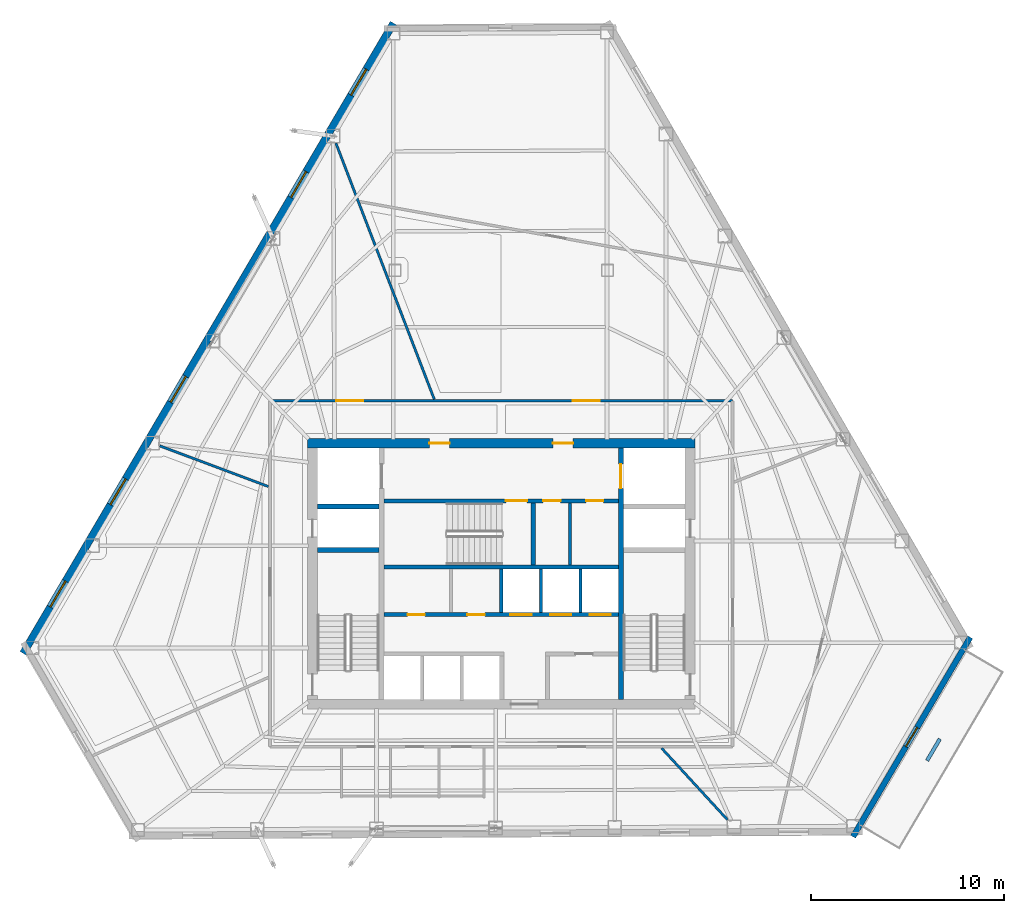
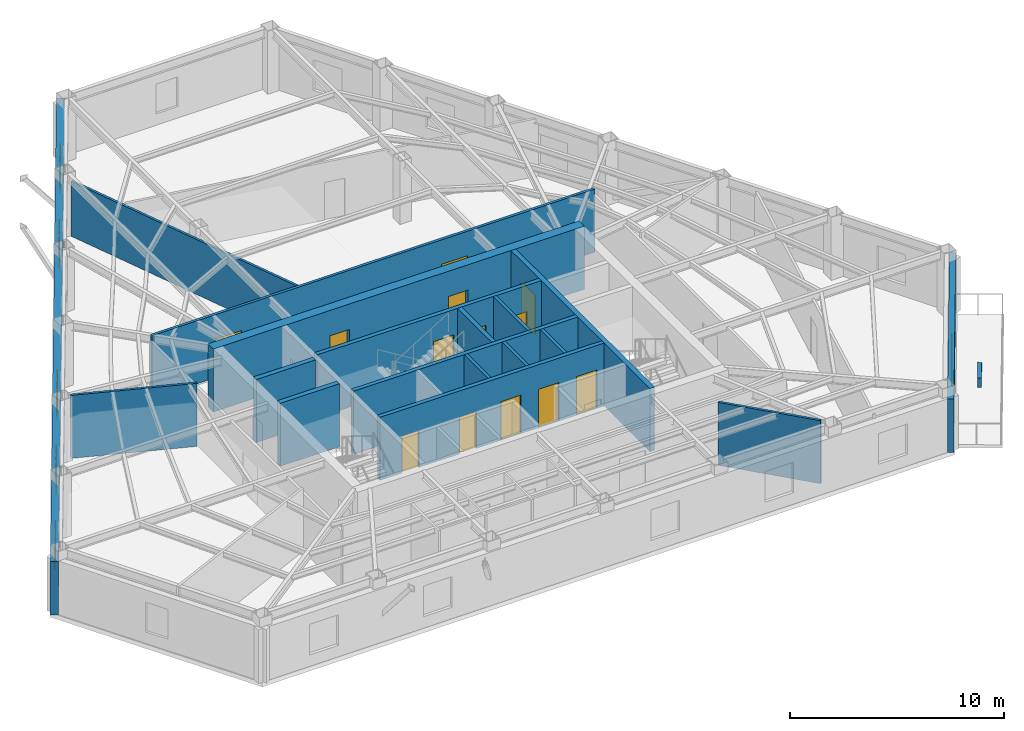
# One storey, part 7 of 11: 19 walls, 14 doors, 5 windows, 19 openings.
"""IFC4 building model written with IfcOpenShell, lengths in metres."""

from ifc_helpers import new_model, si_unit, direction, frame, frame_2d, origin, place, context, subcontext, project, spatial, rectangle, extrude, material, layer, layer_set, type_object, element, fill, save


model = new_model("IFC4")

# Units and contexts
model_context = context("Model", 3, precision=1e-05, world=origin(), true_north=direction((0.0, 1.0)))
body_context = subcontext(model_context, "Body", "Model", "MODEL_VIEW")
ifc_project = project(units=[si_unit("LENGTHUNIT", "METRE"), si_unit("AREAUNIT", "SQUARE_METRE"), si_unit("VOLUMEUNIT", "CUBIC_METRE"), si_unit("PLANEANGLEUNIT", "RADIAN"), si_unit("MASSUNIT", "GRAM", prefix="KILO")], contexts=[model_context])

# Site, building, storey
site_placement = place(None, origin())
site = spatial("IfcSite", under=ifc_project, at=site_placement, CompositionType="ELEMENT")
building_placement = place(site_placement, origin())
building = spatial("IfcBuilding", under=site, at=building_placement, Name="Kavelnor Concourse Tower", CompositionType="ELEMENT")
storey_placement = place(building_placement, frame((0.0, 0.0, 139.39990234375)))
storey = spatial("IfcBuildingStorey", under=building, at=storey_placement, Name="L35", CompositionType="ELEMENT", Elevation=139.39990234375)

# Wall, openings, doors
ifc_material_1 = material(Name="Concrete C60/75", Category="concrete")
ifc_layer_1 = layer(ifc_material_1, 0.5, Name="Concrete C60/75")
ifc_layer_set_1 = layer_set([ifc_layer_1], Name="Concrete C60/75")
wall_type_1 = type_object("IfcWallType", Name="WL-CORE-Z2-500", PredefinedType="SOLIDWALL", material=ifc_layer_set_1)
wall_1_placement = place(storey_placement, frame((27.97998046875, 22.85009765625, 0.0), z_axis=(0.0, 0.0, 1.0), x_axis=(1.0, 0.0, 0.0)))
wall_1 = element("IfcWall", 1, at=wall_1_placement, inside=storey, type_object=wall_type_1, Name="L35 Central Core North Shear Wall", PredefinedType="SOLIDWALL", context=body_context, shape_type="SweptSolid", body=[
    extrude(rectangle(XDim=20.0400390625, YDim=0.5, at=frame_2d((10.02001953125, 0.0))), origin(), (0.0, 0.0, 1.0), 3.60009765625),
])
opening_1_placement = place(wall_1_placement, frame((6.294921875, 0.0, 0.0)))
opening_1 = element("IfcOpeningElement", 2, at=opening_1_placement, cuts=wall_1, Name="Opening FD-105", PredefinedType="OPENING", context=body_context, shape_type="SweptSolid", body=[
    extrude(rectangle(XDim=1.050048828125, YDim=2.14990234375, at=frame_2d((0.52490234375, 1.074951171875))), frame((0.0, 0.260009765625, 0.0), z_axis=(0.0, -1.0, 0.0), x_axis=(1.0, 0.0, 0.0)), (0.0, 0.0, 1.0), 0.52001953125),
])
opening_2_placement = place(wall_1_placement, frame((12.695068359375, 0.0, 0.0)))
opening_2 = element("IfcOpeningElement", 3, at=opening_2_placement, cuts=wall_1, Name="Opening FD-105", PredefinedType="OPENING", context=body_context, shape_type="SweptSolid", body=[
    extrude(rectangle(XDim=1.050048828125, YDim=2.14990234375, at=frame_2d((0.52490234375, 1.074951171875))), frame((0.0, 0.260009765625, 0.0), z_axis=(0.0, -1.0, 0.0), x_axis=(1.0, 0.0, 0.0)), (0.0, 0.0, 1.0), 0.52001953125),
])
ifc_material_2 = material(Name="Steel Grade 350", Category="steel")
door_type_1 = type_object("IfcDoorType", Name="DR-LOBBY-FIRE-1050", OperationType="NOTDEFINED", PredefinedType="DOOR", material=ifc_material_2)
door_1_placement = place(opening_1_placement, origin())
door_1 = element("IfcDoor", 4, at=door_1_placement, inside=storey, type_object=door_type_1, Name="L35 Emergency Lift Lobby West Door", OperationType="SINGLE_SWING_LEFT", OverallHeight=2.14990234375, OverallWidth=1.050048828125, PredefinedType="DOOR", context=body_context, shape_type="SweptSolid", body=[
    extrude(rectangle(XDim=1.050048828125, YDim=2.14990234375, at=frame_2d((0.52490234375, 1.074951171875))), frame((0.0, 0.02490234375, 0.0), z_axis=(0.0, -1.0, 0.0), x_axis=(1.0, 0.0, 0.0)), (0.0, 0.0, 1.0), 0.050048828125),
])
fill(opening_1, door_1)
door_2_placement = place(opening_2_placement, origin())
door_2 = element("IfcDoor", 5, at=door_2_placement, inside=storey, type_object=door_type_1, Name="L35 Emergency Lift Lobby East Door", OperationType="SINGLE_SWING_RIGHT", OverallHeight=2.14990234375, OverallWidth=1.050048828125, PredefinedType="DOOR", context=body_context, shape_type="SweptSolid", body=[
    extrude(rectangle(XDim=1.050048828125, YDim=2.14990234375, at=frame_2d((0.52490234375, 1.074951171875))), frame((0.0, 0.02490234375, 0.0), z_axis=(0.0, -1.0, 0.0), x_axis=(1.0, 0.0, 0.0)), (0.0, 0.0, 1.0), 0.050048828125),
])
fill(opening_2, door_2)

# Wall, opening, door
ifc_material_3 = material(Name="Buff ironspot clay face brick masonry", Category="masonry")
ifc_layer_2 = layer(ifc_material_3, 0.300048828125, Name="Buff ironspot clay face brick masonry")
ifc_layer_set_2 = layer_set([ifc_layer_2], Name="Buff ironspot clay face brick masonry")
wall_type_2 = type_object("IfcWallType", Name="WL-EXT-BUFF-BRICK-FOLD-300", PredefinedType="STANDARD", material=ifc_layer_set_2)
wall_2_placement = place(storey_placement, frame((62.2685546875, 12.81298828125, 0.0), z_axis=(0.0, 0.0, 1.0), x_axis=(-0.506594912699, -0.862184199825, 0.0)))
wall_2 = element("IfcWall", 6, at=wall_2_placement, inside=storey, type_object=wall_type_2, Name="L35 Exterior Brick Facade Wall E4", PredefinedType="STANDARD", context=body_context, shape_type="SweptSolid", body=[
    extrude(rectangle(XDim=11.970458984375, YDim=0.300048828125, at=frame_2d((5.9853515625, 0.0))), origin(), (0.0, 0.0, 1.0), 3.05908203125),
])
opening_3_placement = place(wall_2_placement, frame((5.41015625, 0.0, 0.0)))
opening_3 = element("IfcOpeningElement", 7, at=opening_3_placement, cuts=wall_2, Name="Opening TD-115", PredefinedType="OPENING", context=body_context, shape_type="SweptSolid", body=[
    extrude(rectangle(XDim=1.14990234375, YDim=2.199951171875, at=frame_2d((0.574951171875, 1.10009765625))), frame((0.0, 0.16015625, 0.0), z_axis=(0.0, -1.0, 0.0), x_axis=(1.0, 0.0, 0.0)), (0.0, 0.0, 1.0), 0.320068359375),
])
ifc_material_4 = material(Name="Anodised aluminium 6063-T6", Category="aluminium")
door_type_2 = type_object("IfcDoorType", Name="DR-TERRACE-EXT-1150", OperationType="NOTDEFINED", PredefinedType="DOOR", material=ifc_material_4)
door_3_placement = place(opening_3_placement, origin())
door_3 = element("IfcDoor", 8, at=door_3_placement, inside=storey, type_object=door_type_2, Name="L35 Spiral Sky Terrace Access Door", OperationType="SINGLE_SWING_RIGHT", OverallHeight=2.199951171875, OverallWidth=1.14990234375, PredefinedType="DOOR", context=body_context, shape_type="SweptSolid", body=[
    extrude(rectangle(XDim=1.14990234375, YDim=2.199951171875, at=frame_2d((0.574951171875, 1.10009765625))), frame((0.0, 0.02490234375, 0.0), z_axis=(0.0, -1.0, 0.0), x_axis=(1.0, 0.0, 0.0)), (0.0, 0.0, 1.0), 0.050048828125),
])
fill(opening_3, door_3)

# Wall, openings, windows
ifc_material_5 = material(Name="Red-ochre clay face brick masonry", Category="masonry")
ifc_layer_3 = layer(ifc_material_5, 0.3798828125, Name="Red-ochre clay face brick masonry")
ifc_layer_set_3 = layer_set([ifc_layer_3], Name="Red-ochre clay face brick masonry")
wall_type_3 = type_object("IfcWallType", Name="WL-EXT-RED-BRICK-PIER-380", PredefinedType="STANDARD", material=ifc_layer_set_3)
wall_3_placement = place(storey_placement, frame((13.25732421875, 11.981689453125, 0.0), z_axis=(0.0, 0.0, 1.0), x_axis=(0.506593608381, 0.862184966204, 0.0)))
wall_3 = element("IfcWall", 9, at=wall_3_placement, inside=storey, type_object=wall_type_3, Name="L35 Exterior Brick Facade Wall E1", PredefinedType="STANDARD", context=body_context, shape_type="SweptSolid", body=[
    extrude(rectangle(XDim=37.828369140625, YDim=0.3798828125, at=frame_2d((18.9140625, 0.0))), origin(), (0.0, 0.0, 1.0), 3.05908203125),
])
opening_4_placement = place(wall_3_placement, frame((33.50732421875, 0.0, 0.64990234375)))
opening_4 = element("IfcOpeningElement", 10, at=opening_4_placement, cuts=wall_3, Name="Opening W-02", PredefinedType="OPENING", context=body_context, shape_type="SweptSolid", body=[
    extrude(rectangle(XDim=1.550048828125, YDim=1.75, at=frame_2d((0.77490234375, 0.875))), frame((0.0, 0.199951171875, 0.0), z_axis=(0.0, -1.0, 0.0), x_axis=(1.0, 0.0, 0.0)), (0.0, 0.0, 1.0), 0.39990234375),
])
opening_5_placement = place(wall_3_placement, frame((27.361572265625, 0.0, 0.64990234375)))
opening_5 = element("IfcOpeningElement", 11, at=opening_5_placement, cuts=wall_3, Name="Opening W-02", PredefinedType="OPENING", context=body_context, shape_type="SweptSolid", body=[
    extrude(rectangle(XDim=1.550048828125, YDim=1.75, at=frame_2d((0.77490234375, 0.875))), frame((0.0, 0.199951171875, 0.0), z_axis=(0.0, -1.0, 0.0), x_axis=(1.0, 0.0, 0.0)), (0.0, 0.0, 1.0), 0.39990234375),
])
opening_6_placement = place(wall_3_placement, frame((15.06982421875, 0.0, 0.64990234375)))
opening_6 = element("IfcOpeningElement", 12, at=opening_6_placement, cuts=wall_3, Name="Opening W-02", PredefinedType="OPENING", context=body_context, shape_type="SweptSolid", body=[
    extrude(rectangle(XDim=1.550048828125, YDim=1.75, at=frame_2d((0.77490234375, 0.875))), frame((0.0, 0.199951171875, 0.0), z_axis=(0.0, -1.0, 0.0), x_axis=(1.0, 0.0, 0.0)), (0.0, 0.0, 1.0), 0.39990234375),
])
opening_7_placement = place(wall_3_placement, frame((8.924072265625, 0.0, 0.64990234375)))
opening_7 = element("IfcOpeningElement", 13, at=opening_7_placement, cuts=wall_3, Name="Opening W-02", PredefinedType="OPENING", context=body_context, shape_type="SweptSolid", body=[
    extrude(rectangle(XDim=1.550048828125, YDim=1.75, at=frame_2d((0.77490234375, 0.875))), frame((0.0, 0.199951171875, 0.0), z_axis=(0.0, -1.0, 0.0), x_axis=(1.0, 0.0, 0.0)), (0.0, 0.0, 1.0), 0.39990234375),
])
opening_8_placement = place(wall_3_placement, frame((2.7783203125, 0.0, 0.64990234375)))
opening_8 = element("IfcOpeningElement", 14, at=opening_8_placement, cuts=wall_3, Name="Opening W-02", PredefinedType="OPENING", context=body_context, shape_type="SweptSolid", body=[
    extrude(rectangle(XDim=1.550048828125, YDim=1.75, at=frame_2d((0.77490234375, 0.875))), frame((0.0, 0.199951171875, 0.0), z_axis=(0.0, -1.0, 0.0), x_axis=(1.0, 0.0, 0.0)), (0.0, 0.0, 1.0), 0.39990234375),
])
ifc_material_6 = material(Name="Double low-E argon insulated glazing", Category="glass")
window_type = type_object("IfcWindowType", Name="WIN-PIER-Z2-1650", PartitioningType="SINGLE_PANEL", PredefinedType="WINDOW", material=ifc_material_6)
window_1_placement = place(opening_4_placement, origin())
window_1 = element("IfcWindow", 15, at=window_1_placement, inside=storey, type_object=window_type, Name="L35 Deep-Set Brick Pier Window F0-B0", OverallHeight=1.75, OverallWidth=1.550048828125, PartitioningType="SINGLE_PANEL", PredefinedType="WINDOW", context=body_context, shape_type="SweptSolid", body=[
    extrude(rectangle(XDim=1.550048828125, YDim=1.75, at=frame_2d((0.77490234375, 0.875))), frame((0.0, 0.030029296875, 0.0), z_axis=(0.0, -1.0, 0.0), x_axis=(1.0, 0.0, 0.0)), (0.0, 0.0, 1.0), 0.06005859375),
])
fill(opening_4, window_1)
window_2_placement = place(opening_5_placement, origin())
window_2 = element("IfcWindow", 16, at=window_2_placement, inside=storey, type_object=window_type, Name="L35 Deep-Set Brick Pier Window F0-B1", OverallHeight=1.75, OverallWidth=1.550048828125, PartitioningType="SINGLE_PANEL", PredefinedType="WINDOW", context=body_context, shape_type="SweptSolid", body=[
    extrude(rectangle(XDim=1.550048828125, YDim=1.75, at=frame_2d((0.77490234375, 0.875))), frame((0.0, 0.030029296875, 0.0), z_axis=(0.0, -1.0, 0.0), x_axis=(1.0, 0.0, 0.0)), (0.0, 0.0, 1.0), 0.06005859375),
])
fill(opening_5, window_2)
window_3_placement = place(opening_6_placement, origin())
window_3 = element("IfcWindow", 17, at=window_3_placement, inside=storey, type_object=window_type, Name="L35 Deep-Set Brick Pier Window F0-B3", OverallHeight=1.75, OverallWidth=1.550048828125, PartitioningType="SINGLE_PANEL", PredefinedType="WINDOW", context=body_context, shape_type="SweptSolid", body=[
    extrude(rectangle(XDim=1.550048828125, YDim=1.75, at=frame_2d((0.77490234375, 0.875))), frame((0.0, 0.030029296875, 0.0), z_axis=(0.0, -1.0, 0.0), x_axis=(1.0, 0.0, 0.0)), (0.0, 0.0, 1.0), 0.06005859375),
])
fill(opening_6, window_3)
window_4_placement = place(opening_7_placement, origin())
window_4 = element("IfcWindow", 18, at=window_4_placement, inside=storey, type_object=window_type, Name="L35 Deep-Set Brick Pier Window F0-B4", OverallHeight=1.75, OverallWidth=1.550048828125, PartitioningType="SINGLE_PANEL", PredefinedType="WINDOW", context=body_context, shape_type="SweptSolid", body=[
    extrude(rectangle(XDim=1.550048828125, YDim=1.75, at=frame_2d((0.77490234375, 0.875))), frame((0.0, 0.030029296875, 0.0), z_axis=(0.0, -1.0, 0.0), x_axis=(1.0, 0.0, 0.0)), (0.0, 0.0, 1.0), 0.06005859375),
])
fill(opening_7, window_4)
window_5_placement = place(opening_8_placement, origin())
window_5 = element("IfcWindow", 19, at=window_5_placement, inside=storey, type_object=window_type, Name="L35 Deep-Set Brick Pier Window F0-B5", OverallHeight=1.75, OverallWidth=1.550048828125, PartitioningType="SINGLE_PANEL", PredefinedType="WINDOW", context=body_context, shape_type="SweptSolid", body=[
    extrude(rectangle(XDim=1.550048828125, YDim=1.75, at=frame_2d((0.77490234375, 0.875))), frame((0.0, 0.030029296875, 0.0), z_axis=(0.0, -1.0, 0.0), x_axis=(1.0, 0.0, 0.0)), (0.0, 0.0, 1.0), 0.06005859375),
])
fill(opening_8, window_5)

# Wall, openings, doors
ifc_material_7 = material(Name="Gypsum plasterboard on light-gauge steel studs", Category="steel")
ifc_layer_4 = layer(ifc_material_7, 0.14501953125, Name="Gypsum plasterboard on light-gauge steel studs")
ifc_layer_set_4 = layer_set([ifc_layer_4], Name="Gypsum plasterboard on light-gauge steel studs")
wall_type_4 = type_object("IfcWallType", Name="WL-INT-CORR-145", PredefinedType="PARTITIONING", material=ifc_layer_set_4)
wall_4_placement = place(storey_placement, frame((49.969970703125, 25.050048828125, 0.0), z_axis=(0.0, 0.0, 1.0), x_axis=(-1.0, 0.0, 0.0)))
wall_4 = element("IfcWall", 20, at=wall_4_placement, inside=storey, type_object=wall_type_4, Name="L35 Corridor Wall WL-L35-CR-02", PredefinedType="PARTITIONING", context=body_context, shape_type="SweptSolid", body=[
    extrude(rectangle(XDim=23.93994140625, YDim=0.14501953125, at=frame_2d((11.969970703125, 0.0))), origin(), (0.0, 0.0, 1.0), 3.60009765625),
])
opening_9_placement = place(wall_4_placement, frame((6.882568359375, 0.0, 0.0)))
opening_9 = element("IfcOpeningElement", 21, at=opening_9_placement, cuts=wall_4, Name="Opening SD-140", PredefinedType="OPENING", context=body_context, shape_type="SweptSolid", body=[
    extrude(rectangle(XDim=1.39990234375, YDim=2.199951171875, at=frame_2d((0.699951171875, 1.10009765625))), frame((0.0, 0.08251953125, 0.0), z_axis=(0.0, -1.0, 0.0), x_axis=(1.0, 0.0, 0.0)), (0.0, 0.0, 1.0), 0.1650390625),
])
opening_10_placement = place(wall_4_placement, frame((19.103515625, 0.0, 0.0)))
opening_10 = element("IfcOpeningElement", 22, at=opening_10_placement, cuts=wall_4, Name="Opening SD-140", PredefinedType="OPENING", context=body_context, shape_type="SweptSolid", body=[
    extrude(rectangle(XDim=1.39990234375, YDim=2.199951171875, at=frame_2d((0.699951171875, 1.10009765625))), frame((0.0, 0.08251953125, 0.0), z_axis=(0.0, -1.0, 0.0), x_axis=(1.0, 0.0, 0.0)), (0.0, 0.0, 1.0), 0.1650390625),
])
ifc_material_8 = material(Name="Solid-core hardwood timber", Category="wood")
door_type_3 = type_object("IfcDoorType", Name="DR-SUITE-ENTRY-1400", OperationType="NOTDEFINED", PredefinedType="DOOR", material=ifc_material_8)
door_4_placement = place(opening_9_placement, origin())
door_4 = element("IfcDoor", 23, at=door_4_placement, inside=storey, type_object=door_type_3, Name="L35 Staff Breakout Pantry 01 Door", OperationType="SINGLE_SWING_LEFT", OverallHeight=2.199951171875, OverallWidth=1.39990234375, PredefinedType="DOOR", context=body_context, shape_type="SweptSolid", body=[
    extrude(rectangle(XDim=1.39990234375, YDim=2.199951171875, at=frame_2d((0.699951171875, 1.10009765625))), frame((0.0, 0.02490234375, 0.0), z_axis=(0.0, -1.0, 0.0), x_axis=(1.0, 0.0, 0.0)), (0.0, 0.0, 1.0), 0.050048828125),
])
fill(opening_9, door_4)
door_5_placement = place(opening_10_placement, origin())
door_5 = element("IfcDoor", 24, at=door_5_placement, inside=storey, type_object=door_type_3, Name="L35 Technical Reference Library 03 Door", OperationType="SINGLE_SWING_LEFT", OverallHeight=2.199951171875, OverallWidth=1.39990234375, PredefinedType="DOOR", context=body_context, shape_type="SweptSolid", body=[
    extrude(rectangle(XDim=1.39990234375, YDim=2.199951171875, at=frame_2d((0.699951171875, 1.10009765625))), frame((0.0, 0.02490234375, 0.0), z_axis=(0.0, -1.0, 0.0), x_axis=(1.0, 0.0, 0.0)), (0.0, 0.0, 1.0), 0.050048828125),
])
fill(opening_10, door_5)

# Walls
ifc_layer_5 = layer(ifc_material_7, 0.1650390625, Name="Gypsum plasterboard on light-gauge steel studs")
ifc_layer_set_5 = layer_set([ifc_layer_5], Name="Gypsum plasterboard on light-gauge steel studs")
wall_type_5 = type_object("IfcWallType", Name="WL-INT-FIRE-165", PredefinedType="PARTITIONING", material=ifc_layer_set_5)
for number, where, z_axis, x_axis, name in (
    (25, (38.0, 14.10009765625, 0.0), (0.0, 0.0, 1.0), (0.0, 1.0, 0.0), "L35 Reclaimed Core Zone Partition"),
    (26, (40.050048828125, 14.10009765625, 0.0), (0.0, 0.0, 1.0), (0.0, 1.0, 0.0), "L35 Lift Shaft Divider LP4"),
    (27, (42.10009765625, 14.10009765625, 0.0), (0.0, 0.0, 1.0), (0.0, 1.0, 0.0), "L35 Lift Shaft Divider LP5"),
):
    element("IfcWall", number, at=place(storey_placement, frame(where, z_axis=z_axis, x_axis=x_axis)), inside=storey, type_object=wall_type_5, Name=name, PredefinedType="PARTITIONING", context=body_context, shape_type="SweptSolid", body=[
        extrude(rectangle(XDim=2.239990234375, YDim=0.1650390625, at=frame_2d((1.1201171875, 0.0))), origin(), (0.0, 0.0, 1.0), 3.60009765625),
    ])
wall_5_placement = place(storey_placement, frame((41.550048828125, 16.56005859375, 0.0), z_axis=(0.0, 0.0, 1.0), x_axis=(0.0, 1.0, 0.0)))
element("IfcWall", 28, at=wall_5_placement, inside=storey, type_object=wall_type_5, Name="L35 Core North Support Divider", PredefinedType="PARTITIONING", context=body_context, shape_type="SweptSolid", body=[
    extrude(rectangle(XDim=3.199951171875, YDim=0.1650390625, at=frame_2d((1.60009765625, 0.0))), origin(), (0.0, 0.0, 1.0), 3.60009765625),
])
ifc_layer_6 = layer(ifc_material_7, 0.125, Name="Gypsum plasterboard on light-gauge steel studs")
ifc_layer_set_6 = layer_set([ifc_layer_6], Name="Gypsum plasterboard on light-gauge steel studs")
wall_type_6 = type_object("IfcWallType", Name="WL-INT-SUITE-125", PredefinedType="PARTITIONING", material=ifc_layer_set_6)
wall_6_placement = place(storey_placement, frame((34.531982421875, 25.130615234375, 0.0), z_axis=(0.0, 0.0, 1.0), x_axis=(-0.358497395802, 0.933530726438, 0.0)))
element("IfcWall", 29, at=wall_6_placement, inside=storey, type_object=wall_type_6, Name="L35 Radial Suite Partition 02", PredefinedType="PARTITIONING", context=body_context, shape_type="SweptSolid", body=[
    extrude(rectangle(XDim=14.198486328125, YDim=0.125, at=frame_2d((7.09912109375, 0.0))), origin(), (0.0, 0.0, 1.0), 3.14111328125),
])
wall_7_placement = place(storey_placement, frame((25.949462890625, 20.613525390625, 0.0), z_axis=(0.0, 0.0, 1.0), x_axis=(-0.936462830217, 0.350766827996, 0.0)))
element("IfcWall", 30, at=wall_7_placement, inside=storey, type_object=wall_type_6, Name="L35 Radial Suite Partition 03", PredefinedType="PARTITIONING", context=body_context, shape_type="SweptSolid", body=[
    extrude(rectangle(XDim=6.00244140625, YDim=0.125, at=frame_2d((3.001220703125, 0.0))), origin(), (0.0, 0.0, 1.0), 3.60009765625),
])
wall_8_placement = place(storey_placement, frame((46.303466796875, 7.069580078125, 0.0), z_axis=(0.0, 0.0, 1.0), x_axis=(0.676848098588, -0.736122714931, 0.0)))
element("IfcWall", 31, at=wall_8_placement, inside=storey, type_object=wall_type_6, Name="L35 Radial Suite Partition 05", PredefinedType="PARTITIONING", context=body_context, shape_type="SweptSolid", body=[
    extrude(rectangle(XDim=5.02490234375, YDim=0.125, at=frame_2d((2.512451171875, 0.0))), origin(), (0.0, 0.0, 1.0), 3.60009765625),
])
ifc_material_9 = material(Name="Architectural precast planter concrete C40/50", Category="concrete")
ifc_layer_7 = layer(ifc_material_9, 0.18994140625, Name="Architectural precast planter concrete C40/50")
ifc_layer_set_7 = layer_set([ifc_layer_7], Name="Architectural precast planter concrete C40/50")
wall_type_7 = type_object("IfcWallType", Name="WL-PLANTER-KERB-190", PredefinedType="USERDEFINED", material=ifc_layer_set_7)
wall_9_placement = place(storey_placement, frame((60.03662109375, 6.4287109375, 0.0), z_axis=(0.0, 0.0, 1.0), x_axis=(0.506741024073, 0.862098332281, 0.0)))
element("IfcWall", 32, at=wall_9_placement, inside=storey, type_object=wall_type_7, Name="L35 Spiral Terrace Landscaped Planter Kerb", ObjectType="PLANTER", PredefinedType="USERDEFINED", context=body_context, shape_type="SweptSolid", body=[
    extrude(rectangle(XDim=1.2998046875, YDim=0.18994140625, at=frame_2d((0.64990234375, 0.0))), origin(), (0.0, 0.0, 1.0), 0.52001953125),
])

# Wall, openings, doors
ifc_material_10 = material(Name="Concrete C50/60", Category="concrete")
ifc_layer_8 = layer(ifc_material_10, 0.219970703125, Name="Concrete C50/60")
ifc_layer_set_8 = layer_set([ifc_layer_8], Name="Concrete C50/60")
wall_type_8 = type_object("IfcWallType", Name="WL-SHAFT-220", PredefinedType="SOLIDWALL", material=ifc_layer_set_8)
wall_10_placement = place(storey_placement, frame((31.93994140625, 19.8701171875, 0.0), z_axis=(0.0, 0.0, 1.0), x_axis=(1.0, 0.0, 0.0)))
wall_10 = element("IfcWall", 33, at=wall_10_placement, inside=storey, type_object=wall_type_8, Name="L35 Emergency Lift Lobby South Wall", PredefinedType="SOLIDWALL", context=body_context, shape_type="SweptSolid", body=[
    extrude(rectangle(XDim=12.1201171875, YDim=0.219970703125, at=frame_2d((6.06005859375, 0.0))), origin(), (0.0, 0.0, 1.0), 3.60009765625),
])
opening_11_placement = place(wall_10_placement, frame((6.300048828125, 0.0, 0.0)))
opening_11 = element("IfcOpeningElement", 34, at=opening_11_placement, cuts=wall_10, Name="Opening FD-110", PredefinedType="OPENING", context=body_context, shape_type="SweptSolid", body=[
    extrude(rectangle(XDim=1.10009765625, YDim=2.14990234375, at=frame_2d((0.550048828125, 1.074951171875))), frame((0.0, 0.1201171875, 0.0), z_axis=(0.0, -1.0, 0.0), x_axis=(1.0, 0.0, 0.0)), (0.0, 0.0, 1.0), 0.239990234375),
])
opening_12_placement = place(wall_10_placement, frame((8.22998046875, 0.0, 0.0)))
opening_12 = element("IfcOpeningElement", 35, at=opening_12_placement, cuts=wall_10, Name="Opening FD-090", PredefinedType="OPENING", context=body_context, shape_type="SweptSolid", body=[
    extrude(rectangle(XDim=0.89990234375, YDim=2.10009765625, at=frame_2d((0.449951171875, 1.050048828125))), frame((0.0, 0.1201171875, 0.0), z_axis=(0.0, -1.0, 0.0), x_axis=(1.0, 0.0, 0.0)), (0.0, 0.0, 1.0), 0.239990234375),
])
opening_13_placement = place(wall_10_placement, frame((10.449951171875, 0.0, 0.0)))
opening_13 = element("IfcOpeningElement", 36, at=opening_13_placement, cuts=wall_10, Name="Opening FD-090", PredefinedType="OPENING", context=body_context, shape_type="SweptSolid", body=[
    extrude(rectangle(XDim=0.89990234375, YDim=2.10009765625, at=frame_2d((0.449951171875, 1.050048828125))), frame((0.0, 0.1201171875, 0.0), z_axis=(0.0, -1.0, 0.0), x_axis=(1.0, 0.0, 0.0)), (0.0, 0.0, 1.0), 0.239990234375),
])
door_type_4 = type_object("IfcDoorType", Name="DR-RISER-FIRE-900", OperationType="NOTDEFINED", PredefinedType="DOOR", material=ifc_material_2)
door_6_placement = place(opening_12_placement, origin())
door_6 = element("IfcDoor", 37, at=door_6_placement, inside=storey, type_object=door_type_4, Name="L35 Telecom Room Door", OperationType="SINGLE_SWING_LEFT", OverallHeight=2.10009765625, OverallWidth=0.89990234375, PredefinedType="DOOR", context=body_context, shape_type="SweptSolid", body=[
    extrude(rectangle(XDim=0.89990234375, YDim=2.10009765625, at=frame_2d((0.449951171875, 1.050048828125))), frame((0.0, 0.02490234375, 0.0), z_axis=(0.0, -1.0, 0.0), x_axis=(1.0, 0.0, 0.0)), (0.0, 0.0, 1.0), 0.050048828125),
])
fill(opening_12, door_6)
door_7_placement = place(opening_13_placement, origin())
door_7 = element("IfcDoor", 38, at=door_7_placement, inside=storey, type_object=door_type_4, Name="L35 Janitor Store Door", OperationType="SINGLE_SWING_RIGHT", OverallHeight=2.10009765625, OverallWidth=0.89990234375, PredefinedType="DOOR", context=body_context, shape_type="SweptSolid", body=[
    extrude(rectangle(XDim=0.89990234375, YDim=2.10009765625, at=frame_2d((0.449951171875, 1.050048828125))), frame((0.0, 0.02490234375, 0.0), z_axis=(0.0, -1.0, 0.0), x_axis=(1.0, 0.0, 0.0)), (0.0, 0.0, 1.0), 0.050048828125),
])
fill(opening_13, door_7)
door_type_5 = type_object("IfcDoorType", Name="DR-STAIR-FIRE-1100", OperationType="NOTDEFINED", PredefinedType="DOOR", material=ifc_material_2)
door_8_placement = place(opening_11_placement, origin())
door_8 = element("IfcDoor", 39, at=door_8_placement, inside=storey, type_object=door_type_5, Name="L35 Stair ST3 Fire Door", OperationType="SINGLE_SWING_LEFT", OverallHeight=2.14990234375, OverallWidth=1.10009765625, PredefinedType="DOOR", context=body_context, shape_type="SweptSolid", body=[
    extrude(rectangle(XDim=1.10009765625, YDim=2.14990234375, at=frame_2d((0.550048828125, 1.074951171875))), frame((0.0, 0.02490234375, 0.0), z_axis=(0.0, -1.0, 0.0), x_axis=(1.0, 0.0, 0.0)), (0.0, 0.0, 1.0), 0.050048828125),
])
fill(opening_11, door_8)

# Walls
wall_11_placement = place(storey_placement, frame((31.93994140625, 16.449951171875, 0.0), z_axis=(0.0, 0.0, 1.0), x_axis=(1.0, 0.0, 0.0)))
element("IfcWall", 40, at=wall_11_placement, inside=storey, type_object=wall_type_8, Name="L35 Stair ST3 South Core Wall", PredefinedType="SOLIDWALL", context=body_context, shape_type="SweptSolid", body=[
    extrude(rectangle(XDim=12.1201171875, YDim=0.219970703125, at=frame_2d((6.06005859375, 0.0))), origin(), (0.0, 0.0, 1.0), 3.60009765625),
])
wall_12_placement = place(storey_placement, frame((39.64990234375, 16.56005859375, 0.0), z_axis=(0.0, 0.0, 1.0), x_axis=(0.0, 1.0, 0.0)))
element("IfcWall", 41, at=wall_12_placement, inside=storey, type_object=wall_type_8, Name="L35 Stair ST3 East Core Wall", PredefinedType="SOLIDWALL", context=body_context, shape_type="SweptSolid", body=[
    extrude(rectangle(XDim=3.199951171875, YDim=0.219970703125, at=frame_2d((1.60009765625, 0.0))), origin(), (0.0, 0.0, 1.0), 3.60009765625),
])

# Wall, openings, doors
wall_13_placement = place(storey_placement, frame((31.93994140625, 13.989990234375, 0.0), z_axis=(0.0, 0.0, 1.0), x_axis=(1.0, 0.0, 0.0)))
wall_13 = element("IfcWall", 42, at=wall_13_placement, inside=storey, type_object=wall_type_8, Name="L35 North Lift Row Shaft Wall", PredefinedType="SOLIDWALL", context=body_context, shape_type="SweptSolid", body=[
    extrude(rectangle(XDim=12.1201171875, YDim=0.219970703125, at=frame_2d((6.06005859375, 0.0))), origin(), (0.0, 0.0, 1.0), 3.60009765625),
])
opening_14_placement = place(wall_13_placement, frame((1.2099609375, 0.0, 0.0)))
opening_14 = element("IfcOpeningElement", 43, at=opening_14_placement, cuts=wall_13, Name="Opening FD-090", PredefinedType="OPENING", context=body_context, shape_type="SweptSolid", body=[
    extrude(rectangle(XDim=0.89990234375, YDim=2.10009765625, at=frame_2d((0.449951171875, 1.050048828125))), frame((0.0, 0.1201171875, 0.0), z_axis=(0.0, -1.0, 0.0), x_axis=(1.0, 0.0, 0.0)), (0.0, 0.0, 1.0), 0.239990234375),
])
opening_15_placement = place(wall_13_placement, frame((4.31005859375, 0.0, 0.0)))
opening_15 = element("IfcOpeningElement", 44, at=opening_15_placement, cuts=wall_13, Name="Opening FD-090", PredefinedType="OPENING", context=body_context, shape_type="SweptSolid", body=[
    extrude(rectangle(XDim=0.89990234375, YDim=2.10009765625, at=frame_2d((0.449951171875, 1.050048828125))), frame((0.0, 0.1201171875, 0.0), z_axis=(0.0, -1.0, 0.0), x_axis=(1.0, 0.0, 0.0)), (0.0, 0.0, 1.0), 0.239990234375),
])
opening_16_placement = place(wall_13_placement, frame((6.534912109375, 0.0, 0.0)))
opening_16 = element("IfcOpeningElement", 45, at=opening_16_placement, cuts=wall_13, Name="Opening LD-110", PredefinedType="OPENING", context=body_context, shape_type="SweptSolid", body=[
    extrude(rectangle(XDim=1.10009765625, YDim=2.199951171875, at=frame_2d((0.550048828125, 1.10009765625))), frame((0.0, 0.1201171875, 0.0), z_axis=(0.0, -1.0, 0.0), x_axis=(1.0, 0.0, 0.0)), (0.0, 0.0, 1.0), 0.239990234375),
])
opening_17_placement = place(wall_13_placement, frame((8.5849609375, 0.0, 0.0)))
opening_17 = element("IfcOpeningElement", 46, at=opening_17_placement, cuts=wall_13, Name="Opening LD-110", PredefinedType="OPENING", context=body_context, shape_type="SweptSolid", body=[
    extrude(rectangle(XDim=1.10009765625, YDim=2.199951171875, at=frame_2d((0.550048828125, 1.10009765625))), frame((0.0, 0.1201171875, 0.0), z_axis=(0.0, -1.0, 0.0), x_axis=(1.0, 0.0, 0.0)), (0.0, 0.0, 1.0), 0.239990234375),
])
opening_18_placement = place(wall_13_placement, frame((10.635009765625, 0.0, 0.0)))
opening_18 = element("IfcOpeningElement", 47, at=opening_18_placement, cuts=wall_13, Name="Opening LD-110", PredefinedType="OPENING", context=body_context, shape_type="SweptSolid", body=[
    extrude(rectangle(XDim=1.10009765625, YDim=2.199951171875, at=frame_2d((0.550048828125, 1.10009765625))), frame((0.0, 0.1201171875, 0.0), z_axis=(0.0, -1.0, 0.0), x_axis=(1.0, 0.0, 0.0)), (0.0, 0.0, 1.0), 0.239990234375),
])
door_type_6 = type_object("IfcDoorType", Name="DR-LIFT-SLIDING-1100", OperationType="NOTDEFINED", PredefinedType="DOOR", material=ifc_material_2)
door_9_placement = place(opening_16_placement, origin())
door_9 = element("IfcDoor", 48, at=door_9_placement, inside=storey, type_object=door_type_6, Name="L35 Lift LP4 Landing Door", OperationType="DOUBLE_DOOR_SLIDING", OverallHeight=2.199951171875, OverallWidth=1.10009765625, PredefinedType="DOOR", context=body_context, shape_type="SweptSolid", body=[
    extrude(rectangle(XDim=1.10009765625, YDim=2.199951171875, at=frame_2d((0.550048828125, 1.10009765625))), frame((0.0, 0.02490234375, 0.0), z_axis=(0.0, -1.0, 0.0), x_axis=(1.0, 0.0, 0.0)), (0.0, 0.0, 1.0), 0.050048828125),
])
fill(opening_16, door_9)
door_10_placement = place(opening_17_placement, origin())
door_10 = element("IfcDoor", 49, at=door_10_placement, inside=storey, type_object=door_type_6, Name="L35 Lift LP5 Landing Door", OperationType="DOUBLE_DOOR_SLIDING", OverallHeight=2.199951171875, OverallWidth=1.10009765625, PredefinedType="DOOR", context=body_context, shape_type="SweptSolid", body=[
    extrude(rectangle(XDim=1.10009765625, YDim=2.199951171875, at=frame_2d((0.550048828125, 1.10009765625))), frame((0.0, 0.02490234375, 0.0), z_axis=(0.0, -1.0, 0.0), x_axis=(1.0, 0.0, 0.0)), (0.0, 0.0, 1.0), 0.050048828125),
])
fill(opening_17, door_10)
door_11_placement = place(opening_18_placement, origin())
door_11 = element("IfcDoor", 50, at=door_11_placement, inside=storey, type_object=door_type_6, Name="L35 Lift LP6 Landing Door", OperationType="DOUBLE_DOOR_SLIDING", OverallHeight=2.199951171875, OverallWidth=1.10009765625, PredefinedType="DOOR", context=body_context, shape_type="SweptSolid", body=[
    extrude(rectangle(XDim=1.10009765625, YDim=2.199951171875, at=frame_2d((0.550048828125, 1.10009765625))), frame((0.0, 0.02490234375, 0.0), z_axis=(0.0, -1.0, 0.0), x_axis=(1.0, 0.0, 0.0)), (0.0, 0.0, 1.0), 0.050048828125),
])
fill(opening_18, door_11)
door_12_placement = place(opening_14_placement, origin())
door_12 = element("IfcDoor", 51, at=door_12_placement, inside=storey, type_object=door_type_4, Name="L35 Core Tea Pantry Door", OperationType="SINGLE_SWING_RIGHT", OverallHeight=2.10009765625, OverallWidth=0.89990234375, PredefinedType="DOOR", context=body_context, shape_type="SweptSolid", body=[
    extrude(rectangle(XDim=0.89990234375, YDim=2.10009765625, at=frame_2d((0.449951171875, 1.050048828125))), frame((0.0, 0.02490234375, 0.0), z_axis=(0.0, -1.0, 0.0), x_axis=(1.0, 0.0, 0.0)), (0.0, 0.0, 1.0), 0.050048828125),
])
fill(opening_14, door_12)
door_13_placement = place(opening_15_placement, origin())
door_13 = element("IfcDoor", 52, at=door_13_placement, inside=storey, type_object=door_type_4, Name="L35 Archive Store Door", OperationType="SINGLE_SWING_LEFT", OverallHeight=2.10009765625, OverallWidth=0.89990234375, PredefinedType="DOOR", context=body_context, shape_type="SweptSolid", body=[
    extrude(rectangle(XDim=0.89990234375, YDim=2.10009765625, at=frame_2d((0.449951171875, 1.050048828125))), frame((0.0, 0.02490234375, 0.0), z_axis=(0.0, -1.0, 0.0), x_axis=(1.0, 0.0, 0.0)), (0.0, 0.0, 1.0), 0.050048828125),
])
fill(opening_15, door_13)

# Wall, opening, door
ifc_layer_9 = layer(ifc_material_10, 0.260009765625, Name="Concrete C50/60")
ifc_layer_set_9 = layer_set([ifc_layer_9], Name="Concrete C50/60")
wall_type_9 = type_object("IfcWallType", Name="WL-SHAFT-260", PredefinedType="SHEAR", material=ifc_layer_set_9)
wall_14_placement = place(storey_placement, frame((44.18994140625, 9.60009765625, 0.0), z_axis=(0.0, 0.0, 1.0), x_axis=(0.0, 1.0, 0.0)))
wall_14 = element("IfcWall", 53, at=wall_14_placement, inside=storey, type_object=wall_type_9, Name="L35 Core East Wing Shear Wall", PredefinedType="SHEAR", context=body_context, shape_type="SweptSolid", body=[
    extrude(rectangle(XDim=13.0, YDim=0.260009765625, at=frame_2d((6.5, 0.0))), origin(), (0.0, 0.0, 1.0), 3.60009765625),
])
opening_19_placement = place(wall_14_placement, frame((10.925048828125, 0.0, 0.0)))
opening_19 = element("IfcOpeningElement", 54, at=opening_19_placement, cuts=wall_14, Name="Opening LD-125", PredefinedType="OPENING", context=body_context, shape_type="SweptSolid", body=[
    extrude(rectangle(XDim=1.25, YDim=2.25, at=frame_2d((0.625, 1.125))), frame((0.0, 0.14013671875, 0.0), z_axis=(0.0, -1.0, 0.0), x_axis=(1.0, 0.0, 0.0)), (0.0, 0.0, 1.0), 0.280029296875),
])
door_type_7 = type_object("IfcDoorType", Name="DR-LIFT-SLIDING-1250", OperationType="NOTDEFINED", PredefinedType="DOOR", material=ifc_material_2)
door_14_placement = place(opening_19_placement, origin())
door_14 = element("IfcDoor", 55, at=door_14_placement, inside=storey, type_object=door_type_7, Name="L35 Emergency Lift FL2 Landing Door", OperationType="DOUBLE_DOOR_SLIDING", OverallHeight=2.25, OverallWidth=1.25, PredefinedType="DOOR", context=body_context, shape_type="SweptSolid", body=[
    extrude(rectangle(XDim=1.25, YDim=2.25, at=frame_2d((0.625, 1.125))), frame((0.0, 0.02490234375, 0.0), z_axis=(0.0, -1.0, 0.0), x_axis=(1.0, 0.0, 0.0)), (0.0, 0.0, 1.0), 0.050048828125),
])
fill(opening_19, door_14)

# Walls
for number, where, z_axis, x_axis, name in (
    (56, (28.47998046875, 17.330078125, 0.0), (0.0, 0.0, 1.0), (1.0, 0.0, 0.0), "L35 Stair ST1 North Shaft Wall"),
    (57, (28.47998046875, 19.570068359375, 0.0), (0.0, 0.0, 1.0), (1.0, 0.0, 0.0), "L35 Emergency Lift FL1 South Shaft Wall"),
):
    element("IfcWall", number, at=place(storey_placement, frame(where, z_axis=z_axis, x_axis=x_axis)), inside=storey, type_object=wall_type_9, Name=name, PredefinedType="SHEAR", context=body_context, shape_type="SweptSolid", body=[
        extrude(rectangle(XDim=3.199951171875, YDim=0.260009765625, at=frame_2d((1.60009765625, 0.0))), origin(), (0.0, 0.0, 1.0), 3.60009765625),
    ])

save(model, "model.ifc")
